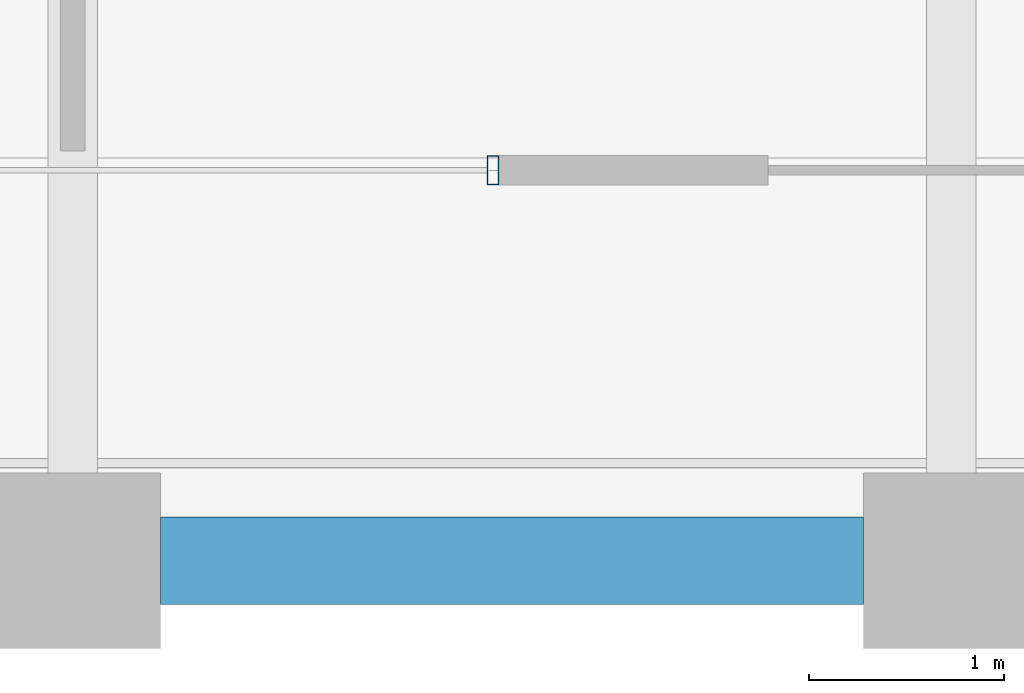
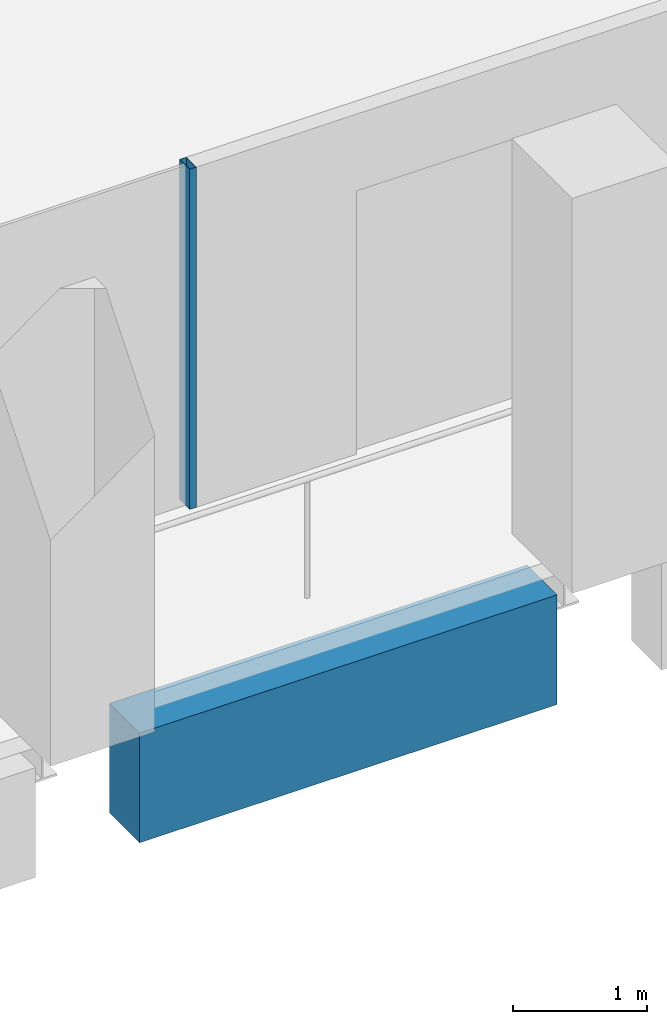
# One storey, part 7 of 40: 1 beam, 1 member, 1 element without a shape of its own.
"""IFC4 building model written with IfcOpenShell, lengths in metres."""

from ifc_helpers import new_model, si_unit, direction, frame, origin, origin_2d, place, context, subcontext, project, spatial, rectangle, hollow_rectangle, extrude, material, material_profile, profile_set, type_object, element, aggregate, save


model = new_model("IFC4")

# Units and contexts
model_context = context("Model", 3, precision=1e-05, world=origin(), true_north=direction((0.0, 1.0)))
body_context = subcontext(model_context, "Body", "Model", "MODEL_VIEW")
ifc_project = project(units=[si_unit("LENGTHUNIT", "METRE"), si_unit("AREAUNIT", "SQUARE_METRE"), si_unit("VOLUMEUNIT", "CUBIC_METRE"), si_unit("PLANEANGLEUNIT", "RADIAN"), si_unit("MASSUNIT", "GRAM", prefix="KILO")], contexts=[model_context])

# Site, building, storey
site_placement = place(None, origin())
site = spatial("IfcSite", under=ifc_project, at=site_placement, CompositionType="ELEMENT")
building_placement = place(site_placement, origin())
building = spatial("IfcBuilding", under=site, at=building_placement, Name="Altepetl Exchange Towers", CompositionType="ELEMENT")
storey_placement = place(building_placement, frame((0.0, 0.0, 154.60009765625)))
storey = spatial("IfcBuildingStorey", under=building, at=storey_placement, Name="L38", CompositionType="ELEMENT", Elevation=154.60009765625)

# Curtain wall, member
ifc_material_1 = material(Name="Aluminium 6063-T6 glazing", Category="aluminium")
curtain_wall_type = type_object("IfcCurtainWallType", Name="Loggia glazing system", PredefinedType="NOTDEFINED", material=ifc_material_1)
curtain_wall_placement = place(storey_placement, origin())
curtain_wall = element("IfcCurtainWall", 1, at=curtain_wall_placement, inside=storey, type_object=curtain_wall_type, Name="CW1 run", PredefinedType="NOTDEFINED")
ifc_material_2 = material(Name="Aluminium 6063-T6", Category="aluminium")
ifc_material_profile_1 = material_profile(ifc_material_2, hollow_rectangle(XDim=0.06005859375, YDim=0.14990234375, WallThickness=0.0029296875, at=origin_2d()), Name="Mullion 60x150 aluminium")
ifc_profile_set_1 = profile_set([ifc_material_profile_1], Name="Aluminium 6063-T6")
member_type = type_object("IfcMemberType", Name="Mullion 60x150 aluminium", PredefinedType="MULLION", material=ifc_profile_set_1)
member_placement = place(storey_placement, frame((47.152099609375, 29.0, 0.0)))
member = element("IfcMember", 2, at=member_placement, type_object=member_type, Name="MU1 mullion", PredefinedType="MULLION", context=body_context, shape_type="SweptSolid", body=[
    extrude(hollow_rectangle(XDim=0.06005859375, YDim=0.14990234375, WallThickness=0.0029296875, at=origin_2d()), origin(), (0.0, 0.0, 1.0), 3.099853515625),
])
aggregate(curtain_wall, [member])

# Beam
ifc_material_3 = material(Name="Concrete C50/60 precast with cantera blanca facing", Category="concrete")
ifc_material_profile_2 = material_profile(ifc_material_3, rectangle(XDim=0.449951171875, YDim=1.0, at=origin_2d()), Name="450 x 1000")
ifc_profile_set_2 = profile_set([ifc_material_profile_2], Name="Concrete C50/60 precast with cantera blanca facing")
beam_type = type_object("IfcBeamType", Name="Spandrel beam 450x1000 cantera blanca", PredefinedType="SPANDREL", material=ifc_profile_set_2)
beam_placement = place(storey_placement, frame((45.449951171875, 27.0, -0.650146484375), z_axis=(1.0, 0.0, 0.0), x_axis=(0.0, 1.0, 0.0)))
element("IfcBeam", 3, at=beam_placement, inside=storey, type_object=beam_type, Name="sp:A:L38:003", PredefinedType="SPANDREL", context=body_context, shape_type="SweptSolid", body=[
    extrude(rectangle(XDim=0.449951171875, YDim=1.0, at=origin_2d()), origin(), (0.0, 0.0, 1.0), 3.60009765625),
])

save(model, "model.ifc")
